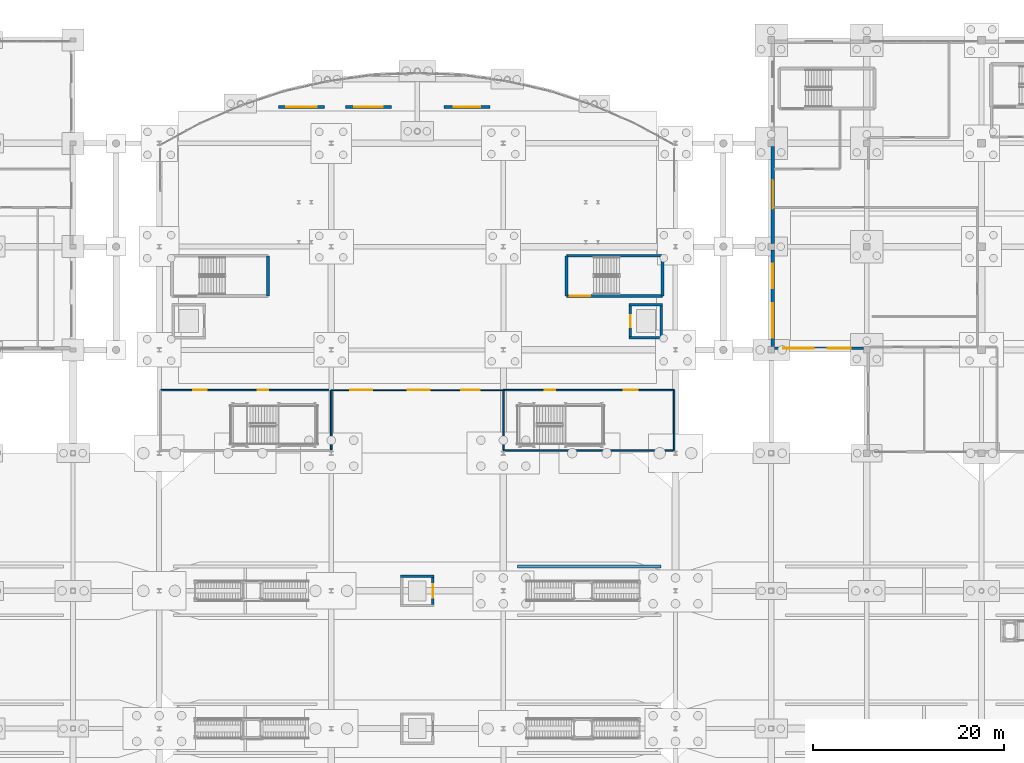
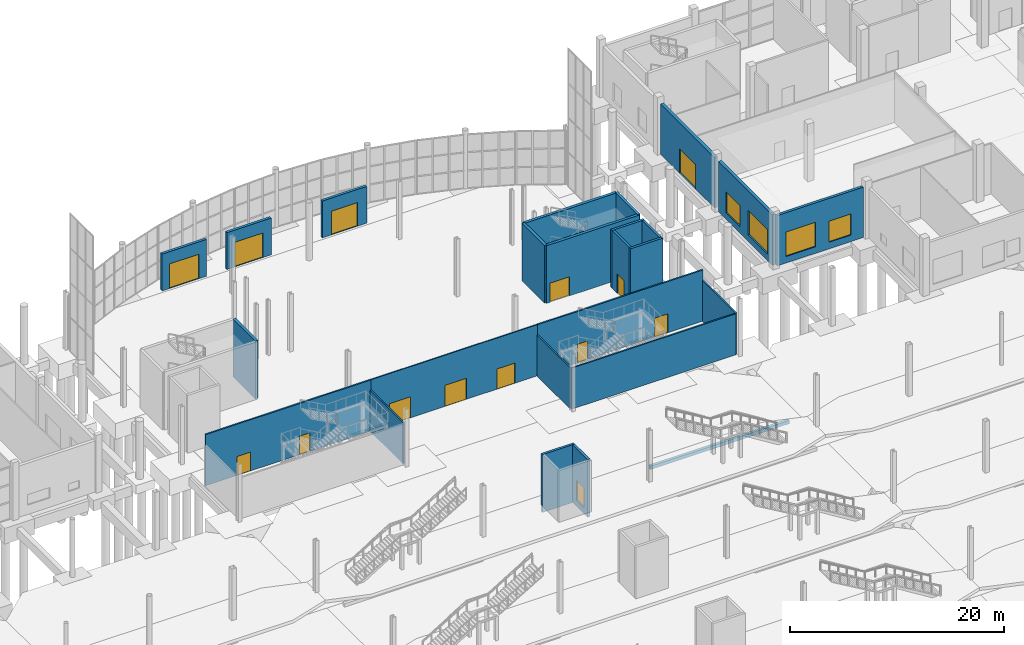
# One storey, part 90 of 115: 25 walls, 14 doors, 4 windows, 18 openings.
"""IFC4 building model written with IfcOpenShell, lengths in metres."""

from ifc_helpers import new_model, si_unit, direction, frame, frame_2d, origin, place, context, subcontext, project, spatial, rectangle, extrude, material, layer, layer_set, type_object, element, fill, save


model = new_model("IFC4")

# Units and contexts
model_context = context("Model", 3, precision=1e-05, world=origin(), true_north=direction((0.0, 1.0)))
body_context = subcontext(model_context, "Body", "Model", "MODEL_VIEW")
ifc_project = project(units=[si_unit("LENGTHUNIT", "METRE"), si_unit("AREAUNIT", "SQUARE_METRE"), si_unit("VOLUMEUNIT", "CUBIC_METRE"), si_unit("PLANEANGLEUNIT", "RADIAN"), si_unit("MASSUNIT", "GRAM", prefix="KILO")], contexts=[model_context])

# Site, building, storey
site_placement = place(None, origin())
site = spatial("IfcSite", under=ifc_project, at=site_placement, CompositionType="ELEMENT")
building_placement = place(site_placement, origin())
building = spatial("IfcBuilding", under=site, at=building_placement, Name="Tamarisk Ironworks Central Station", CompositionType="ELEMENT")
storey_placement = place(building_placement, origin())
storey = spatial("IfcBuildingStorey", under=building, at=storey_placement, Name="L00", CompositionType="ELEMENT", Elevation=0.0)

# Wall, openings, windows
ifc_material_1 = material(Name="Clay facing brickwork and mortar", Category="masonry")
ifc_layer_1 = layer(ifc_material_1, 0.280029296875)
ifc_layer_set_1 = layer_set([ifc_layer_1], Name="Clay facing brickwork and mortar")
wall_type_1 = type_object("IfcWallType", Name="WL-BR280", PredefinedType="STANDARD", material=ifc_layer_set_1)
wall_1_placement = place(storey_placement, frame((118.347900390625, 90.169921875, 0.0), z_axis=(0.0, 0.0, 1.0), x_axis=(1.0, 0.0, 0.0)))
wall_1 = element("IfcWall", 1, at=wall_1_placement, inside=storey, type_object=wall_type_1, Name="L00 brick facade wall 0052", PredefinedType="STANDARD", context=body_context, shape_type="SweptSolid", body=[
    extrude(rectangle(XDim=9.30419921875, YDim=0.280029296875, at=frame_2d((4.652099609375, 0.0))), origin(), (0.0, 0.0, 1.0), 5.75),
])
opening_1_placement = place(wall_1_placement, frame((0.926025390625, 0.0, 0.75)))
opening_1 = element("IfcOpeningElement", 2, at=opening_1_placement, cuts=wall_1, Name="Opening W02", PredefinedType="OPENING", context=body_context, shape_type="SweptSolid", body=[
    extrude(rectangle(XDim=3.199951171875, YDim=2.800048828125, at=frame_2d((1.60009765625, 1.39990234375))), frame((0.0, 0.15185546875, 0.0), z_axis=(0.0, -1.0, 0.0), x_axis=(1.0, 0.0, 0.0)), (0.0, 0.0, 1.0), 0.303955078125),
])
opening_2_placement = place(wall_1_placement, frame((5.577880859375, 0.0, 0.75)))
opening_2 = element("IfcOpeningElement", 3, at=opening_2_placement, cuts=wall_1, Name="Opening W06", PredefinedType="OPENING", context=body_context, shape_type="SweptSolid", body=[
    extrude(rectangle(XDim=2.39990234375, YDim=2.39990234375, at=frame_2d((1.199951171875, 1.199951171875))), frame((0.0, 0.15185546875, 0.0), z_axis=(0.0, -1.0, 0.0), x_axis=(1.0, 0.0, 0.0)), (0.0, 0.0, 1.0), 0.303955078125),
])
ifc_material_2 = material(Name="Laminated solar-control low-E glass", Category="glass")
window_type_1 = type_object("IfcWindowType", Name="WN-02", PartitioningType="SINGLE_PANEL", PredefinedType="WINDOW", material=ifc_material_2)
window_1_placement = place(opening_1_placement, origin())
window_1 = element("IfcWindow", 4, at=window_1_placement, inside=storey, type_object=window_type_1, Name="L00 exterior window 0072", OverallHeight=2.800048828125, OverallWidth=3.199951171875, PartitioningType="DOUBLE_PANEL_VERTICAL", PredefinedType="WINDOW", context=body_context, shape_type="SweptSolid", body=[
    extrude(rectangle(XDim=3.199951171875, YDim=2.800048828125, at=frame_2d((1.60009765625, 1.39990234375))), frame((0.0, 0.030029296875, 0.0), z_axis=(0.0, -1.0, 0.0), x_axis=(1.0, 0.0, 0.0)), (0.0, 0.0, 1.0), 0.06005859375),
])
fill(opening_1, window_1)
window_type_2 = type_object("IfcWindowType", Name="WN-06", PartitioningType="SINGLE_PANEL", PredefinedType="WINDOW", material=ifc_material_2)
window_2_placement = place(opening_2_placement, origin())
window_2 = element("IfcWindow", 5, at=window_2_placement, inside=storey, type_object=window_type_2, Name="L00 exterior window 0073", OverallHeight=2.39990234375, OverallWidth=2.39990234375, PartitioningType="DOUBLE_PANEL_VERTICAL", PredefinedType="WINDOW", context=body_context, shape_type="SweptSolid", body=[
    extrude(rectangle(XDim=2.39990234375, YDim=2.39990234375, at=frame_2d((1.199951171875, 1.199951171875))), frame((0.0, 0.030029296875, 0.0), z_axis=(0.0, -1.0, 0.0), x_axis=(1.0, 0.0, 0.0)), (0.0, 0.0, 1.0), 0.06005859375),
])
fill(opening_2, window_2)

# Wall, opening, door
wall_2_placement = place(storey_placement, frame((66.5, 115.39990234375, 0.0), z_axis=(0.0, 0.0, 1.0), x_axis=(1.0, 0.0, 0.0)))
wall_2 = element("IfcWall", 6, at=wall_2_placement, inside=storey, type_object=wall_type_1, Name="Ticket hall N entrance vestibule screen 1", PredefinedType="STANDARD", context=body_context, shape_type="SweptSolid", body=[
    extrude(rectangle(XDim=4.800048828125, YDim=0.280029296875, at=frame_2d((2.39990234375, 0.0))), origin(), (0.0, 0.0, 1.0), 4.199951171875),
])
opening_3_placement = place(wall_2_placement, frame((0.800048828125, 0.0, 0.0048828125)))
opening_3 = element("IfcOpeningElement", 7, at=opening_3_placement, cuts=wall_2, Name="Opening ED01", PredefinedType="OPENING", context=body_context, shape_type="SweptSolid", body=[
    extrude(rectangle(XDim=3.199951171875, YDim=2.800048828125, at=frame_2d((1.60009765625, 1.39990234375))), frame((0.0, 0.15185546875, 0.0), z_axis=(0.0, -1.0, 0.0), x_axis=(1.0, 0.0, 0.0)), (0.0, 0.0, 1.0), 0.303955078125),
])
ifc_material_3 = material(Name="Anodized aluminium alloy 6063-T6", Category="aluminium")
door_type_1 = type_object("IfcDoorType", Name="DR-ED01", OperationType="NOTDEFINED", PredefinedType="DOOR", material=ifc_material_3)
door_1_placement = place(opening_3_placement, origin())
door_1 = element("IfcDoor", 8, at=door_1_placement, inside=storey, type_object=door_type_1, Name="Ticket hall N main street entrance 1", OperationType="DOUBLE_DOOR_SINGLE_SWING", OverallHeight=2.800048828125, OverallWidth=3.199951171875, PredefinedType="DOOR", context=body_context, shape_type="SweptSolid", body=[
    extrude(rectangle(XDim=3.199951171875, YDim=2.800048828125, at=frame_2d((1.60009765625, 1.39990234375))), frame((0.0, 0.02490234375, 0.0), z_axis=(0.0, -1.0, 0.0), x_axis=(1.0, 0.0, 0.0)), (0.0, 0.0, 1.0), 0.050048828125),
])
fill(opening_3, door_1)

wall_3_placement = place(storey_placement, frame((73.5, 115.39990234375, 0.0), z_axis=(0.0, 0.0, 1.0), x_axis=(1.0, 0.0, 0.0)))
wall_3 = element("IfcWall", 9, at=wall_3_placement, inside=storey, type_object=wall_type_1, Name="Ticket hall N entrance vestibule screen 2", PredefinedType="STANDARD", context=body_context, shape_type="SweptSolid", body=[
    extrude(rectangle(XDim=4.800048828125, YDim=0.280029296875, at=frame_2d((2.39990234375, 0.0))), origin(), (0.0, 0.0, 1.0), 4.199951171875),
])
opening_4_placement = place(wall_3_placement, frame((0.89990234375, 0.0, 0.0048828125)))
opening_4 = element("IfcOpeningElement", 10, at=opening_4_placement, cuts=wall_3, Name="Opening ED02", PredefinedType="OPENING", context=body_context, shape_type="SweptSolid", body=[
    extrude(rectangle(XDim=3.0, YDim=2.800048828125, at=frame_2d((1.5, 1.39990234375))), frame((0.0, 0.15185546875, 0.0), z_axis=(0.0, -1.0, 0.0), x_axis=(1.0, 0.0, 0.0)), (0.0, 0.0, 1.0), 0.303955078125),
])
door_type_2 = type_object("IfcDoorType", Name="DR-ED02", OperationType="NOTDEFINED", PredefinedType="DOOR", material=ifc_material_3)
door_2_placement = place(opening_4_placement, origin())
door_2 = element("IfcDoor", 11, at=door_2_placement, inside=storey, type_object=door_type_2, Name="Ticket hall N main street entrance 2", OperationType="DOUBLE_DOOR_SINGLE_SWING", OverallHeight=2.800048828125, OverallWidth=3.0, PredefinedType="DOOR", context=body_context, shape_type="SweptSolid", body=[
    extrude(rectangle(XDim=3.0, YDim=2.800048828125, at=frame_2d((1.5, 1.39990234375))), frame((0.0, 0.02490234375, 0.0), z_axis=(0.0, -1.0, 0.0), x_axis=(1.0, 0.0, 0.0)), (0.0, 0.0, 1.0), 0.050048828125),
])
fill(opening_4, door_2)

wall_4_placement = place(storey_placement, frame((83.800048828125, 115.39990234375, 0.0), z_axis=(0.0, 0.0, 1.0), x_axis=(1.0, 0.0, 0.0)))
wall_4 = element("IfcWall", 12, at=wall_4_placement, inside=storey, type_object=wall_type_1, Name="Ticket hall N entrance vestibule screen 3", PredefinedType="STANDARD", context=body_context, shape_type="SweptSolid", body=[
    extrude(rectangle(XDim=4.800048828125, YDim=0.280029296875, at=frame_2d((2.39990234375, 0.0))), origin(), (0.0, 0.0, 1.0), 4.199951171875),
])
opening_5_placement = place(wall_4_placement, frame((1.0, 0.0, 0.0048828125)))
opening_5 = element("IfcOpeningElement", 13, at=opening_5_placement, cuts=wall_4, Name="Opening ED03", PredefinedType="OPENING", context=body_context, shape_type="SweptSolid", body=[
    extrude(rectangle(XDim=2.800048828125, YDim=2.699951171875, at=frame_2d((1.39990234375, 1.35009765625))), frame((0.0, 0.15185546875, 0.0), z_axis=(0.0, -1.0, 0.0), x_axis=(1.0, 0.0, 0.0)), (0.0, 0.0, 1.0), 0.303955078125),
])
door_type_3 = type_object("IfcDoorType", Name="DR-ED03", OperationType="NOTDEFINED", PredefinedType="DOOR", material=ifc_material_3)
door_3_placement = place(opening_5_placement, origin())
door_3 = element("IfcDoor", 14, at=door_3_placement, inside=storey, type_object=door_type_3, Name="Ticket hall N main street entrance 3", OperationType="DOUBLE_DOOR_SINGLE_SWING", OverallHeight=2.699951171875, OverallWidth=2.800048828125, PredefinedType="DOOR", context=body_context, shape_type="SweptSolid", body=[
    extrude(rectangle(XDim=2.800048828125, YDim=2.699951171875, at=frame_2d((1.39990234375, 1.35009765625))), frame((0.0, 0.02490234375, 0.0), z_axis=(0.0, -1.0, 0.0), x_axis=(1.0, 0.0, 0.0)), (0.0, 0.0, 1.0), 0.050048828125),
])
fill(opening_5, door_3)

# Wall, openings, windows
ifc_layer_2 = layer(ifc_material_1, 0.340087890625)
ifc_layer_set_2 = layer_set([ifc_layer_2], Name="Clay facing brickwork and mortar")
wall_type_2 = type_object("IfcWallType", Name="WL-BR340", PredefinedType="STANDARD", material=ifc_layer_set_2)
wall_5_placement = place(storey_placement, frame((118.169921875, 90.347900390625, 0.0), z_axis=(0.0, 0.0, 1.0), x_axis=(0.0, 1.0, 0.0)))
wall_5 = element("IfcWall", 15, at=wall_5_placement, inside=storey, type_object=wall_type_2, Name="L00 brick facade wall 0049", PredefinedType="STANDARD", context=body_context, shape_type="SweptSolid", body=[
    extrude(rectangle(XDim=10.10400390625, YDim=0.340087890625, at=frame_2d((5.052001953125, 0.0))), origin(), (0.0, 0.0, 1.0), 5.75),
])
opening_6_placement = place(wall_5_placement, frame((0.926025390625, 0.0, 0.75)))
opening_6 = element("IfcOpeningElement", 16, at=opening_6_placement, cuts=wall_5, Name="Opening W01", PredefinedType="OPENING", context=body_context, shape_type="SweptSolid", body=[
    extrude(rectangle(XDim=3.60009765625, YDim=2.800048828125, at=frame_2d((1.800048828125, 1.39990234375))), frame((0.0, 0.18212890625, 0.0), z_axis=(0.0, -1.0, 0.0), x_axis=(1.0, 0.0, 0.0)), (0.0, 0.0, 1.0), 0.364013671875),
])
opening_7_placement = place(wall_5_placement, frame((6.077880859375, 0.0, 0.75)))
opening_7 = element("IfcOpeningElement", 17, at=opening_7_placement, cuts=wall_5, Name="Opening W05", PredefinedType="OPENING", context=body_context, shape_type="SweptSolid", body=[
    extrude(rectangle(XDim=2.60009765625, YDim=2.39990234375, at=frame_2d((1.300048828125, 1.199951171875))), frame((0.0, 0.18212890625, 0.0), z_axis=(0.0, -1.0, 0.0), x_axis=(1.0, 0.0, 0.0)), (0.0, 0.0, 1.0), 0.364013671875),
])
window_type_3 = type_object("IfcWindowType", Name="WN-01", PartitioningType="SINGLE_PANEL", PredefinedType="WINDOW", material=ifc_material_2)
window_3_placement = place(opening_6_placement, origin())
window_3 = element("IfcWindow", 18, at=window_3_placement, inside=storey, type_object=window_type_3, Name="L00 exterior window 0068", OverallHeight=2.800048828125, OverallWidth=3.60009765625, PartitioningType="DOUBLE_PANEL_VERTICAL", PredefinedType="WINDOW", context=body_context, shape_type="SweptSolid", body=[
    extrude(rectangle(XDim=3.60009765625, YDim=2.800048828125, at=frame_2d((1.800048828125, 1.39990234375))), frame((0.0, 0.030029296875, 0.0), z_axis=(0.0, -1.0, 0.0), x_axis=(1.0, 0.0, 0.0)), (0.0, 0.0, 1.0), 0.06005859375),
])
fill(opening_6, window_3)
window_type_4 = type_object("IfcWindowType", Name="WN-05", PartitioningType="SINGLE_PANEL", PredefinedType="WINDOW", material=ifc_material_2)
window_4_placement = place(opening_7_placement, origin())
window_4 = element("IfcWindow", 19, at=window_4_placement, inside=storey, type_object=window_type_4, Name="L00 exterior window 0069", OverallHeight=2.39990234375, OverallWidth=2.60009765625, PartitioningType="DOUBLE_PANEL_VERTICAL", PredefinedType="WINDOW", context=body_context, shape_type="SweptSolid", body=[
    extrude(rectangle(XDim=2.60009765625, YDim=2.39990234375, at=frame_2d((1.300048828125, 1.199951171875))), frame((0.0, 0.030029296875, 0.0), z_axis=(0.0, -1.0, 0.0), x_axis=(1.0, 0.0, 0.0)), (0.0, 0.0, 1.0), 0.06005859375),
])
fill(opening_7, window_4)

# Wall, opening, door
wall_6_placement = place(storey_placement, frame((118.169921875, 101.14794921875, 0.0), z_axis=(0.0, 0.0, 1.0), x_axis=(0.0, 1.0, 0.0)))
wall_6 = element("IfcWall", 20, at=wall_6_placement, inside=storey, type_object=wall_type_2, Name="L00 brick facade wall 0050", PredefinedType="STANDARD", context=body_context, shape_type="SweptSolid", body=[
    extrude(rectangle(XDim=10.10400390625, YDim=0.340087890625, at=frame_2d((5.052001953125, 0.0))), origin(), (0.0, 0.0, 1.0), 5.75),
])
opening_8_placement = place(wall_6_placement, frame((3.60009765625, 0.0, 0.0048828125)))
opening_8 = element("IfcOpeningElement", 21, at=opening_8_placement, cuts=wall_6, Name="Opening ED02", PredefinedType="OPENING", context=body_context, shape_type="SweptSolid", body=[
    extrude(rectangle(XDim=3.0, YDim=2.800048828125, at=frame_2d((1.5, 1.39990234375))), frame((0.0, 0.18212890625, 0.0), z_axis=(0.0, -1.0, 0.0), x_axis=(1.0, 0.0, 0.0)), (0.0, 0.0, 1.0), 0.364013671875),
])
door_4_placement = place(opening_8_placement, origin())
door_4 = element("IfcDoor", 22, at=door_4_placement, inside=storey, type_object=door_type_2, Name="L00 exterior entrance door 0013", OperationType="DOUBLE_DOOR_SINGLE_SWING", OverallHeight=2.800048828125, OverallWidth=3.0, PredefinedType="DOOR", context=body_context, shape_type="SweptSolid", body=[
    extrude(rectangle(XDim=3.0, YDim=2.800048828125, at=frame_2d((1.5, 1.39990234375))), frame((0.0, 0.02490234375, 0.0), z_axis=(0.0, -1.0, 0.0), x_axis=(1.0, 0.0, 0.0)), (0.0, 0.0, 1.0), 0.050048828125),
])
fill(opening_8, door_4)

# Walls
ifc_material_4 = material(Name="Concrete C50/60", Category="concrete")
ifc_layer_3 = layer(ifc_material_4, 0.300048828125)
ifc_layer_set_3 = layer_set([ifc_layer_3], Name="Concrete C50/60")
wall_type_3 = type_object("IfcWallType", Name="WL-CW300", PredefinedType="SOLIDWALL", material=ifc_layer_set_3)
wall_7_placement = place(storey_placement, frame((91.5, 67.35009765625, 0.0), z_axis=(0.0, 0.0, 1.0), x_axis=(1.0, 0.0, 0.0)))
element("IfcWall", 23, at=wall_7_placement, inside=storey, type_object=wall_type_3, Name="Platform P4 M structural plinth wall 046", PredefinedType="SOLIDWALL", context=body_context, shape_type="SweptSolid", body=[
    extrude(rectangle(XDim=15.0, YDim=0.300048828125, at=frame_2d((7.5, 0.0))), origin(), (0.0, 0.0, 1.0), 0.375),
])
wall_8_placement = place(storey_placement, frame((65.39501953125, 95.655029296875, 0.0), z_axis=(0.0, 0.0, 1.0), x_axis=(0.0, 1.0, 0.0)))
element("IfcWall", 24, at=wall_8_placement, inside=storey, type_object=wall_type_3, Name="ST-C3 core wall F (L00)", PredefinedType="SOLIDWALL", context=body_context, shape_type="SweptSolid", body=[
    extrude(rectangle(XDim=4.18994140625, YDim=0.300048828125, at=frame_2d((2.094970703125, 0.0))), origin(), (0.0, 0.0, 1.0), 6.60009765625),
])

# Wall, opening, door
wall_9_placement = place(storey_placement, frame((96.60498046875, 95.655029296875, 0.0), z_axis=(0.0, 0.0, 1.0), x_axis=(1.0, 0.0, 0.0)))
wall_9 = element("IfcWall", 25, at=wall_9_placement, inside=storey, type_object=wall_type_3, Name="ST-C4 core wall L (L00)", PredefinedType="SOLIDWALL", context=body_context, shape_type="SweptSolid", body=[
    extrude(rectangle(XDim=10.0400390625, YDim=0.300048828125, at=frame_2d((5.02001953125, 0.0))), origin(), (0.0, 0.0, 1.0), 6.60009765625),
])
opening_9_placement = place(wall_9_placement, frame((0.35009765625, 0.0, 0.0048828125)))
opening_9 = element("IfcOpeningElement", 26, at=opening_9_placement, cuts=wall_9, Name="Opening FD01", PredefinedType="OPENING", context=body_context, shape_type="SweptSolid", body=[
    extrude(rectangle(XDim=2.14990234375, YDim=2.199951171875, at=frame_2d((1.074951171875, 1.10009765625))), frame((0.0, 0.162109375, 0.0), z_axis=(0.0, -1.0, 0.0), x_axis=(1.0, 0.0, 0.0)), (0.0, 0.0, 1.0), 0.323974609375),
])
ifc_material_5 = material(Name="Galvanised hollow-metal door steel", Category="steel")
door_type_4 = type_object("IfcDoorType", Name="DR-FD01", OperationType="NOTDEFINED", PredefinedType="DOOR", material=ifc_material_5)
door_5_placement = place(opening_9_placement, origin())
door_5 = element("IfcDoor", 27, at=door_5_placement, inside=storey, type_object=door_type_4, Name="ST-C4 fire stair door (L00)", OperationType="SINGLE_SWING_LEFT", OverallHeight=2.199951171875, OverallWidth=2.14990234375, PredefinedType="DOOR", context=body_context, shape_type="SweptSolid", body=[
    extrude(rectangle(XDim=2.14990234375, YDim=2.199951171875, at=frame_2d((1.074951171875, 1.10009765625))), frame((0.0, 0.02490234375, 0.0), z_axis=(0.0, -1.0, 0.0), x_axis=(1.0, 0.0, 0.0)), (0.0, 0.0, 1.0), 0.050048828125),
])
fill(opening_9, door_5)

# Walls
wall_10_placement = place(storey_placement, frame((96.60498046875, 99.844970703125, 0.0), z_axis=(0.0, 0.0, 1.0), x_axis=(1.0, 0.0, 0.0)))
element("IfcWall", 28, at=wall_10_placement, inside=storey, type_object=wall_type_3, Name="ST-C4 core wall R (L00)", PredefinedType="SOLIDWALL", context=body_context, shape_type="SweptSolid", body=[
    extrude(rectangle(XDim=10.0400390625, YDim=0.300048828125, at=frame_2d((5.02001953125, 0.0))), origin(), (0.0, 0.0, 1.0), 6.60009765625),
])
for number, where, z_axis, x_axis, name in (
    (29, (96.60498046875, 95.655029296875, 0.0), (0.0, 0.0, 1.0), (0.0, 1.0, 0.0), "ST-C4 core wall N (L00)"),
    (30, (106.64501953125, 95.655029296875, 0.0), (0.0, 0.0, 1.0), (0.0, 1.0, 0.0), "ST-C4 core wall F (L00)"),
):
    element("IfcWall", number, at=place(storey_placement, frame(where, z_axis=z_axis, x_axis=x_axis)), inside=storey, type_object=wall_type_3, Name=name, PredefinedType="SOLIDWALL", context=body_context, shape_type="SweptSolid", body=[
        extrude(rectangle(XDim=4.18994140625, YDim=0.300048828125, at=frame_2d((2.094970703125, 0.0))), origin(), (0.0, 0.0, 1.0), 6.60009765625),
    ])

# Wall, openings, doors
ifc_layer_4 = layer(ifc_material_2, 0.114990234375)
ifc_layer_set_4 = layer_set([ifc_layer_4], Name="Laminated solar-control low-E glass")
wall_type_4 = type_object("IfcWallType", Name="WL-GL120", PredefinedType="PARTITIONING", material=ifc_layer_set_4)
wall_11_placement = place(storey_placement, frame((72.0, 85.800048828125, 0.0), z_axis=(0.0, 0.0, 1.0), x_axis=(1.0, 0.0, 0.0)))
wall_11 = element("IfcWall", 31, at=wall_11_placement, inside=storey, type_object=wall_type_4, Name="L00 interior partition 0011", PredefinedType="PARTITIONING", context=body_context, shape_type="SweptSolid", body=[
    extrude(rectangle(XDim=18.0, YDim=0.114990234375, at=frame_2d((9.0, 0.0))), origin(), (0.0, 0.0, 1.0), 5.840087890625),
])
opening_10_placement = place(wall_11_placement, frame((2.0, 0.0, 0.0048828125)))
opening_10 = element("IfcOpeningElement", 32, at=opening_10_placement, cuts=wall_11, Name="Opening D01", PredefinedType="OPENING", context=body_context, shape_type="SweptSolid", body=[
    extrude(rectangle(XDim=2.300048828125, YDim=2.39990234375, at=frame_2d((1.14990234375, 1.199951171875))), frame((0.0, 0.0693359375, 0.0), z_axis=(0.0, -1.0, 0.0), x_axis=(1.0, 0.0, 0.0)), (0.0, 0.0, 1.0), 0.138916015625),
])
opening_11_placement = place(wall_11_placement, frame((8.0, 0.0, 0.0048828125)))
opening_11 = element("IfcOpeningElement", 33, at=opening_11_placement, cuts=wall_11, Name="Opening D01", PredefinedType="OPENING", context=body_context, shape_type="SweptSolid", body=[
    extrude(rectangle(XDim=2.300048828125, YDim=2.39990234375, at=frame_2d((1.14990234375, 1.199951171875))), frame((0.0, 0.0693359375, 0.0), z_axis=(0.0, -1.0, 0.0), x_axis=(1.0, 0.0, 0.0)), (0.0, 0.0, 1.0), 0.138916015625),
])
opening_12_placement = place(wall_11_placement, frame((13.60009765625, 0.0, 0.0048828125)))
opening_12 = element("IfcOpeningElement", 34, at=opening_12_placement, cuts=wall_11, Name="Opening D02", PredefinedType="OPENING", context=body_context, shape_type="SweptSolid", body=[
    extrude(rectangle(XDim=1.949951171875, YDim=2.300048828125, at=frame_2d((0.97509765625, 1.14990234375))), frame((0.0, 0.0693359375, 0.0), z_axis=(0.0, -1.0, 0.0), x_axis=(1.0, 0.0, 0.0)), (0.0, 0.0, 1.0), 0.138916015625),
])
door_type_5 = type_object("IfcDoorType", Name="DR-ID01", OperationType="NOTDEFINED", PredefinedType="DOOR", material=ifc_material_3)
door_6_placement = place(opening_10_placement, origin())
door_6 = element("IfcDoor", 35, at=door_6_placement, inside=storey, type_object=door_type_5, Name="L00 room door 0006", OperationType="DOUBLE_DOOR_SINGLE_SWING", OverallHeight=2.39990234375, OverallWidth=2.300048828125, PredefinedType="DOOR", context=body_context, shape_type="SweptSolid", body=[
    extrude(rectangle(XDim=2.300048828125, YDim=2.39990234375, at=frame_2d((1.14990234375, 1.199951171875))), frame((0.0, 0.02490234375, 0.0), z_axis=(0.0, -1.0, 0.0), x_axis=(1.0, 0.0, 0.0)), (0.0, 0.0, 1.0), 0.050048828125),
])
fill(opening_10, door_6)
door_7_placement = place(opening_11_placement, origin())
door_7 = element("IfcDoor", 36, at=door_7_placement, inside=storey, type_object=door_type_5, Name="L00 room door 0007", OperationType="DOUBLE_DOOR_SINGLE_SWING", OverallHeight=2.39990234375, OverallWidth=2.300048828125, PredefinedType="DOOR", context=body_context, shape_type="SweptSolid", body=[
    extrude(rectangle(XDim=2.300048828125, YDim=2.39990234375, at=frame_2d((1.14990234375, 1.199951171875))), frame((0.0, 0.02490234375, 0.0), z_axis=(0.0, -1.0, 0.0), x_axis=(1.0, 0.0, 0.0)), (0.0, 0.0, 1.0), 0.050048828125),
])
fill(opening_11, door_7)
door_type_6 = type_object("IfcDoorType", Name="DR-ID02", OperationType="NOTDEFINED", PredefinedType="DOOR", material=ifc_material_3)
door_8_placement = place(opening_12_placement, origin())
door_8 = element("IfcDoor", 37, at=door_8_placement, inside=storey, type_object=door_type_6, Name="L00 room door 0008", OperationType="DOUBLE_DOOR_SINGLE_SWING", OverallHeight=2.300048828125, OverallWidth=1.949951171875, PredefinedType="DOOR", context=body_context, shape_type="SweptSolid", body=[
    extrude(rectangle(XDim=1.949951171875, YDim=2.300048828125, at=frame_2d((0.97509765625, 1.14990234375))), frame((0.0, 0.02490234375, 0.0), z_axis=(0.0, -1.0, 0.0), x_axis=(1.0, 0.0, 0.0)), (0.0, 0.0, 1.0), 0.050048828125),
])
fill(opening_12, door_8)

# Walls
ifc_material_6 = material(Name="Gypsum plasterboard acoustic partition")
ifc_layer_5 = layer(ifc_material_6, 0.159912109375)
ifc_layer_set_5 = layer_set([ifc_layer_5], Name="Gypsum plasterboard acoustic partition")
wall_type_5 = type_object("IfcWallType", Name="WL-PT160", PredefinedType="PARTITIONING", material=ifc_layer_set_5)
wall_12_placement = place(storey_placement, frame((107.85009765625, 79.5, 0.0), z_axis=(0.0, 0.0, 1.0), x_axis=(0.0, 1.0, 0.0)))
element("IfcWall", 38, at=wall_12_placement, inside=storey, type_object=wall_type_5, Name="L00 interior partition 0004", PredefinedType="PARTITIONING", context=body_context, shape_type="SweptSolid", body=[
    extrude(rectangle(XDim=6.300048828125, YDim=0.159912109375, at=frame_2d((3.14990234375, 0.0))), origin(), (0.0, 0.0, 1.0), 4.679931640625),
])
wall_13_placement = place(storey_placement, frame((90.0, 79.5, 0.0), z_axis=(0.0, 0.0, 1.0), x_axis=(1.0, 0.0, 0.0)))
element("IfcWall", 39, at=wall_13_placement, inside=storey, type_object=wall_type_5, Name="L00 interior partition 0006", PredefinedType="PARTITIONING", context=body_context, shape_type="SweptSolid", body=[
    extrude(rectangle(XDim=17.77197265625, YDim=0.159912109375, at=frame_2d((8.885986328125, 0.0))), origin(), (0.0, 0.0, 1.0), 4.679931640625),
])
for number, where, z_axis, x_axis, name in (
    (40, (72.0, 79.577880859375, 0.0), (0.0, 0.0, 1.0), (0.0, 1.0, 0.0), "L00 interior partition 0007"),
    (41, (90.0, 79.577880859375, 0.0), (0.0, 0.0, 1.0), (0.0, 1.0, 0.0), "L00 interior partition 0008"),
):
    element("IfcWall", number, at=place(storey_placement, frame(where, z_axis=z_axis, x_axis=x_axis)), inside=storey, type_object=wall_type_5, Name=name, PredefinedType="PARTITIONING", context=body_context, shape_type="SweptSolid", body=[
        extrude(rectangle(XDim=6.22216796875, YDim=0.159912109375, at=frame_2d((3.111083984375, 0.0))), origin(), (0.0, 0.0, 1.0), 4.679931640625),
    ])

# Wall, openings, doors
wall_14_placement = place(storey_placement, frame((54.14990234375, 85.800048828125, 0.0), z_axis=(0.0, 0.0, 1.0), x_axis=(1.0, 0.0, 0.0)))
wall_14 = element("IfcWall", 42, at=wall_14_placement, inside=storey, type_object=wall_type_5, Name="L00 interior partition 0009", PredefinedType="PARTITIONING", context=body_context, shape_type="SweptSolid", body=[
    extrude(rectangle(XDim=17.85009765625, YDim=0.159912109375, at=frame_2d((8.925048828125, 0.0))), origin(), (0.0, 0.0, 1.0), 5.840087890625),
])
opening_13_placement = place(wall_14_placement, frame((3.39990234375, 0.0, 0.0048828125)))
opening_13 = element("IfcOpeningElement", 43, at=opening_13_placement, cuts=wall_14, Name="Opening D04", PredefinedType="OPENING", context=body_context, shape_type="SweptSolid", body=[
    extrude(rectangle(XDim=1.449951171875, YDim=2.14990234375, at=frame_2d((0.72509765625, 1.074951171875))), frame((0.0, 0.091796875, 0.0), z_axis=(0.0, -1.0, 0.0), x_axis=(1.0, 0.0, 0.0)), (0.0, 0.0, 1.0), 0.183837890625),
])
opening_14_placement = place(wall_14_placement, frame((10.14990234375, 0.0, 0.0048828125)))
opening_14 = element("IfcOpeningElement", 44, at=opening_14_placement, cuts=wall_14, Name="Opening D05", PredefinedType="OPENING", context=body_context, shape_type="SweptSolid", body=[
    extrude(rectangle(XDim=1.10009765625, YDim=2.10009765625, at=frame_2d((0.550048828125, 1.050048828125))), frame((0.0, 0.091796875, 0.0), z_axis=(0.0, -1.0, 0.0), x_axis=(1.0, 0.0, 0.0)), (0.0, 0.0, 1.0), 0.183837890625),
])
ifc_material_7 = material(Name="FSC certified tropical hardwood timber", Category="wood")
door_type_7 = type_object("IfcDoorType", Name="DR-ID04", OperationType="NOTDEFINED", PredefinedType="DOOR", material=ifc_material_7)
door_9_placement = place(opening_13_placement, origin())
door_9 = element("IfcDoor", 45, at=door_9_placement, inside=storey, type_object=door_type_7, Name="L00 room door 0002", OperationType="SINGLE_SWING_LEFT", OverallHeight=2.14990234375, OverallWidth=1.449951171875, PredefinedType="DOOR", context=body_context, shape_type="SweptSolid", body=[
    extrude(rectangle(XDim=1.449951171875, YDim=2.14990234375, at=frame_2d((0.72509765625, 1.074951171875))), frame((0.0, 0.02490234375, 0.0), z_axis=(0.0, -1.0, 0.0), x_axis=(1.0, 0.0, 0.0)), (0.0, 0.0, 1.0), 0.050048828125),
])
fill(opening_13, door_9)
door_type_8 = type_object("IfcDoorType", Name="DR-ID05", OperationType="NOTDEFINED", PredefinedType="DOOR", material=ifc_material_7)
door_10_placement = place(opening_14_placement, origin())
door_10 = element("IfcDoor", 46, at=door_10_placement, inside=storey, type_object=door_type_8, Name="L00 room door 0003", OperationType="SINGLE_SWING_RIGHT", OverallHeight=2.10009765625, OverallWidth=1.10009765625, PredefinedType="DOOR", context=body_context, shape_type="SweptSolid", body=[
    extrude(rectangle(XDim=1.10009765625, YDim=2.10009765625, at=frame_2d((0.550048828125, 1.050048828125))), frame((0.0, 0.02490234375, 0.0), z_axis=(0.0, -1.0, 0.0), x_axis=(1.0, 0.0, 0.0)), (0.0, 0.0, 1.0), 0.050048828125),
])
fill(opening_14, door_10)

wall_15_placement = place(storey_placement, frame((90.0, 85.800048828125, 0.0), z_axis=(0.0, 0.0, 1.0), x_axis=(1.0, 0.0, 0.0)))
wall_15 = element("IfcWall", 47, at=wall_15_placement, inside=storey, type_object=wall_type_5, Name="L00 interior partition 0010", PredefinedType="PARTITIONING", context=body_context, shape_type="SweptSolid", body=[
    extrude(rectangle(XDim=17.85009765625, YDim=0.159912109375, at=frame_2d((8.925048828125, 0.0))), origin(), (0.0, 0.0, 1.0), 5.840087890625),
])
opening_15_placement = place(wall_15_placement, frame((4.300048828125, 0.0, 0.0048828125)))
opening_15 = element("IfcOpeningElement", 48, at=opening_15_placement, cuts=wall_15, Name="Opening D05", PredefinedType="OPENING", context=body_context, shape_type="SweptSolid", body=[
    extrude(rectangle(XDim=1.10009765625, YDim=2.10009765625, at=frame_2d((0.550048828125, 1.050048828125))), frame((0.0, 0.091796875, 0.0), z_axis=(0.0, -1.0, 0.0), x_axis=(1.0, 0.0, 0.0)), (0.0, 0.0, 1.0), 0.183837890625),
])
opening_16_placement = place(wall_15_placement, frame((12.60009765625, 0.0, 0.0048828125)))
opening_16 = element("IfcOpeningElement", 49, at=opening_16_placement, cuts=wall_15, Name="Opening D04", PredefinedType="OPENING", context=body_context, shape_type="SweptSolid", body=[
    extrude(rectangle(XDim=1.449951171875, YDim=2.14990234375, at=frame_2d((0.72509765625, 1.074951171875))), frame((0.0, 0.091796875, 0.0), z_axis=(0.0, -1.0, 0.0), x_axis=(1.0, 0.0, 0.0)), (0.0, 0.0, 1.0), 0.183837890625),
])
door_11_placement = place(opening_16_placement, origin())
door_11 = element("IfcDoor", 50, at=door_11_placement, inside=storey, type_object=door_type_7, Name="L00 room door 0005", OperationType="SINGLE_SWING_LEFT", OverallHeight=2.14990234375, OverallWidth=1.449951171875, PredefinedType="DOOR", context=body_context, shape_type="SweptSolid", body=[
    extrude(rectangle(XDim=1.449951171875, YDim=2.14990234375, at=frame_2d((0.72509765625, 1.074951171875))), frame((0.0, 0.02490234375, 0.0), z_axis=(0.0, -1.0, 0.0), x_axis=(1.0, 0.0, 0.0)), (0.0, 0.0, 1.0), 0.050048828125),
])
fill(opening_16, door_11)
door_12_placement = place(opening_15_placement, origin())
door_12 = element("IfcDoor", 51, at=door_12_placement, inside=storey, type_object=door_type_8, Name="L00 room door 0004", OperationType="SINGLE_SWING_RIGHT", OverallHeight=2.10009765625, OverallWidth=1.10009765625, PredefinedType="DOOR", context=body_context, shape_type="SweptSolid", body=[
    extrude(rectangle(XDim=1.10009765625, YDim=2.10009765625, at=frame_2d((0.550048828125, 1.050048828125))), frame((0.0, 0.02490234375, 0.0), z_axis=(0.0, -1.0, 0.0), x_axis=(1.0, 0.0, 0.0)), (0.0, 0.0, 1.0), 0.050048828125),
])
fill(opening_15, door_12)

# Wall
ifc_layer_6 = layer(ifc_material_4, 0.25)
ifc_layer_set_6 = layer_set([ifc_layer_6], Name="Concrete C50/60")
wall_type_6 = type_object("IfcWallType", Name="WL-SH250", PredefinedType="SOLIDWALL", material=ifc_layer_set_6)
wall_16_placement = place(storey_placement, frame((79.25, 66.324951171875, 0.0), z_axis=(0.0, 0.0, 1.0), x_axis=(1.0, 0.0, 0.0)))
element("IfcWall", 52, at=wall_16_placement, inside=storey, type_object=wall_type_6, Name="LF-P4 lift shaft wall N (L00)", PredefinedType="SOLIDWALL", context=body_context, shape_type="SweptSolid", body=[
    extrude(rectangle(XDim=3.5, YDim=0.25, at=frame_2d((1.75, 0.0))), origin(), (0.0, 0.0, 1.0), 6.60009765625),
])

# Wall, opening, door
wall_17_placement = place(storey_placement, frame((82.625, 63.39990234375, 0.0), z_axis=(0.0, 0.0, 1.0), x_axis=(0.0, 1.0, 0.0)))
wall_17 = element("IfcWall", 53, at=wall_17_placement, inside=storey, type_object=wall_type_6, Name="LF-P4 lift shaft wall E (L00)", PredefinedType="SOLIDWALL", context=body_context, shape_type="SweptSolid", body=[
    extrude(rectangle(XDim=2.800048828125, YDim=0.25, at=frame_2d((1.39990234375, 0.0))), origin(), (0.0, 0.0, 1.0), 6.60009765625),
])
opening_17_placement = place(wall_17_placement, frame((0.699951171875, 0.0, 0.72509765625)))
opening_17 = element("IfcOpeningElement", 54, at=opening_17_placement, cuts=wall_17, Name="Opening LD01", PredefinedType="OPENING", context=body_context, shape_type="SweptSolid", body=[
    extrude(rectangle(XDim=1.39990234375, YDim=2.25, at=frame_2d((0.699951171875, 1.125))), frame((0.0, 0.136962890625, 0.0), z_axis=(0.0, -1.0, 0.0), x_axis=(1.0, 0.0, 0.0)), (0.0, 0.0, 1.0), 0.27392578125),
])
ifc_material_8 = material(Name="Brushed stainless steel AISI 316", Category="steel")
door_type_9 = type_object("IfcDoorType", Name="DR-LD01", OperationType="NOTDEFINED", PredefinedType="DOOR", material=ifc_material_8)
door_13_placement = place(opening_17_placement, origin())
door_13 = element("IfcDoor", 55, at=door_13_placement, inside=storey, type_object=door_type_9, Name="LF-P4 sliding lift landing door (L00)", OperationType="SLIDING_TO_LEFT", OverallHeight=2.25, OverallWidth=1.39990234375, PredefinedType="DOOR", context=body_context, shape_type="SweptSolid", body=[
    extrude(rectangle(XDim=1.39990234375, YDim=2.25, at=frame_2d((0.699951171875, 1.125))), frame((0.0, 0.02490234375, 0.0), z_axis=(0.0, -1.0, 0.0), x_axis=(1.0, 0.0, 0.0)), (0.0, 0.0, 1.0), 0.050048828125),
])
fill(opening_17, door_13)

# Walls
for number, where, z_axis, x_axis, name in (
    (56, (103.14990234375, 91.27490234375, 0.0), (0.0, 0.0, 1.0), (1.0, 0.0, 0.0), "LF-C2 lift shaft wall S (L00)"),
    (57, (103.14990234375, 94.72509765625, 0.0), (0.0, 0.0, 1.0), (1.0, 0.0, 0.0), "LF-C2 lift shaft wall N (L00)"),
):
    element("IfcWall", number, at=place(storey_placement, frame(where, z_axis=z_axis, x_axis=x_axis)), inside=storey, type_object=wall_type_6, Name=name, PredefinedType="SOLIDWALL", context=body_context, shape_type="SweptSolid", body=[
        extrude(rectangle(XDim=3.5, YDim=0.25, at=frame_2d((1.75, 0.0))), origin(), (0.0, 0.0, 1.0), 6.60009765625),
    ])

# Wall, opening, door
wall_18_placement = place(storey_placement, frame((103.27490234375, 91.39990234375, 0.0), z_axis=(0.0, 0.0, 1.0), x_axis=(0.0, 1.0, 0.0)))
wall_18 = element("IfcWall", 58, at=wall_18_placement, inside=storey, type_object=wall_type_6, Name="LF-C2 lift shaft wall W (L00)", PredefinedType="SOLIDWALL", context=body_context, shape_type="SweptSolid", body=[
    extrude(rectangle(XDim=3.2001953125, YDim=0.25, at=frame_2d((1.60009765625, 0.0))), origin(), (0.0, 0.0, 1.0), 6.60009765625),
])
opening_18_placement = place(wall_18_placement, frame((0.97509765625, 0.0, 0.0048828125)))
opening_18 = element("IfcOpeningElement", 59, at=opening_18_placement, cuts=wall_18, Name="Opening LD02", PredefinedType="OPENING", context=body_context, shape_type="SweptSolid", body=[
    extrude(rectangle(XDim=1.25, YDim=2.199951171875, at=frame_2d((0.625, 1.10009765625))), frame((0.0, 0.136962890625, 0.0), z_axis=(0.0, -1.0, 0.0), x_axis=(1.0, 0.0, 0.0)), (0.0, 0.0, 1.0), 0.27392578125),
])
door_type_10 = type_object("IfcDoorType", Name="DR-LD02", OperationType="NOTDEFINED", PredefinedType="DOOR", material=ifc_material_8)
door_14_placement = place(opening_18_placement, origin())
door_14 = element("IfcDoor", 60, at=door_14_placement, inside=storey, type_object=door_type_10, Name="LF-C2 sliding lift landing door (L00)", OperationType="SLIDING_TO_LEFT", OverallHeight=2.199951171875, OverallWidth=1.25, PredefinedType="DOOR", context=body_context, shape_type="SweptSolid", body=[
    extrude(rectangle(XDim=1.25, YDim=2.199951171875, at=frame_2d((0.625, 1.10009765625))), frame((0.0, 0.02490234375, 0.0), z_axis=(0.0, -1.0, 0.0), x_axis=(1.0, 0.0, 0.0)), (0.0, 0.0, 1.0), 0.050048828125),
])
fill(opening_18, door_14)

# Wall
wall_19_placement = place(storey_placement, frame((106.52490234375, 91.39990234375, 0.0), z_axis=(0.0, 0.0, 1.0), x_axis=(0.0, 1.0, 0.0)))
element("IfcWall", 61, at=wall_19_placement, inside=storey, type_object=wall_type_6, Name="LF-C2 lift shaft wall E (L00)", PredefinedType="SOLIDWALL", context=body_context, shape_type="SweptSolid", body=[
    extrude(rectangle(XDim=3.2001953125, YDim=0.25, at=frame_2d((1.60009765625, 0.0))), origin(), (0.0, 0.0, 1.0), 6.60009765625),
])

save(model, "model.ifc")
